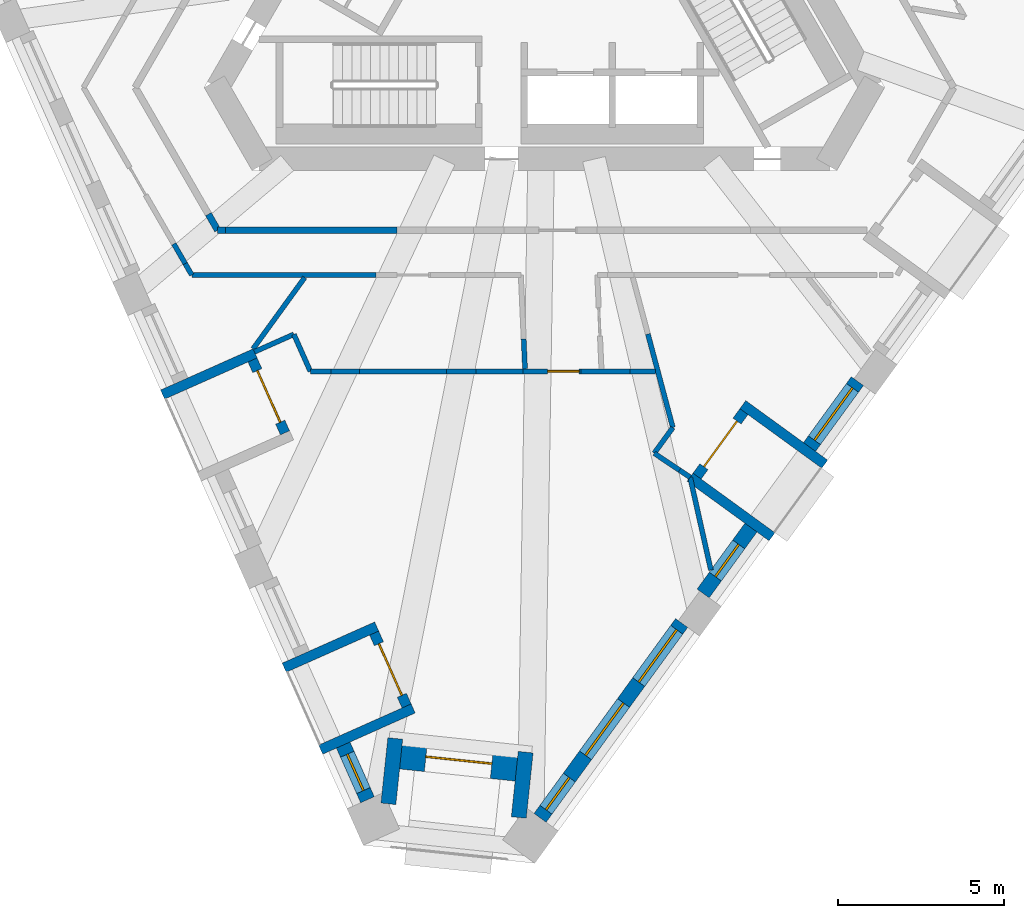
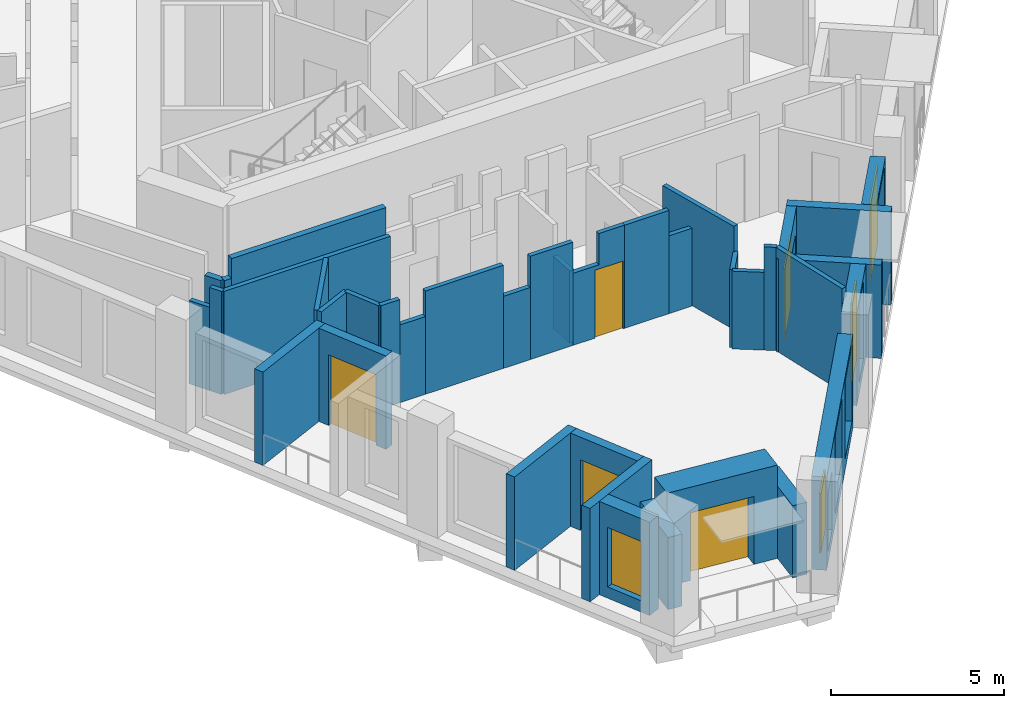
# One storey, part 2 of 11: 38 walls, 6 windows, 5 doors, 11 openings.
"""IFC4 building model written with IfcOpenShell, lengths in metres."""

from ifc_helpers import new_model, si_unit, direction, frame, frame_2d, origin, place, context, subcontext, project, spatial, polyline, rectangle, outline, extrude, material, layer, layer_set, type_object, element, fill, save


model = new_model("IFC4")

# Units and contexts
model_context = context("Model", 3, precision=1e-05, world=origin(), true_north=direction((0.0, 1.0)))
body_context = subcontext(model_context, "Body", "Model", "MODEL_VIEW")
ifc_project = project(units=[si_unit("LENGTHUNIT", "METRE"), si_unit("AREAUNIT", "SQUARE_METRE"), si_unit("VOLUMEUNIT", "CUBIC_METRE"), si_unit("PLANEANGLEUNIT", "RADIAN"), si_unit("MASSUNIT", "GRAM", prefix="KILO")], contexts=[model_context])

# Site, building, storey
site_placement = place(None, origin())
site = spatial("IfcSite", under=ifc_project, at=site_placement, CompositionType="ELEMENT")
building_placement = place(site_placement, origin())
building = spatial("IfcBuilding", under=site, at=building_placement, Name="Tramontana Tower", CompositionType="ELEMENT")
storey_placement = place(building_placement, frame((0.0, 0.0, 261.199951171875)))
storey = spatial("IfcBuildingStorey", under=building, at=storey_placement, Name="L61", CompositionType="ELEMENT", Elevation=261.199951171875)

# Walls
ifc_material_1 = material(Name="Blockwork", Category="masonry")
ifc_layer_1 = layer(ifc_material_1, 0.199951171875)
ifc_layer_set_1 = layer_set([ifc_layer_1], Name="ENTRY WALL 200")
wall_type_1 = type_object("IfcWallType", Name="ENTRY WALL 200", PredefinedType="SOLIDWALL", material=ifc_layer_set_1)
wall_1_placement = place(storey_placement, frame((-4.447998046875, -8.550048828125, 0.0), z_axis=(0.0, 0.0, 1.0), x_axis=(-1.0, 0.0, 0.0)))
element("IfcWall", 1, at=wall_1_placement, inside=storey, type_object=wall_type_1, Name="Wall v62-ew1-10", PredefinedType="SOLIDWALL", context=body_context, shape_type="SweptSolid", body=[
    extrude(rectangle(XDim=5.161376953125, YDim=0.199951171875, at=frame_2d((2.58056640625, 0.0))), origin(), (0.0, 0.0, 1.0), 3.650146484375),
])
wall_2_placement = place(storey_placement, frame((-9.609375, -8.550048828125, 0.0), z_axis=(0.0, 0.0, 1.0), x_axis=(-1.0, 0.0, 0.0)))
element("IfcWall", 2, at=wall_2_placement, inside=storey, type_object=wall_type_1, Name="Wall v62-ew1-11", PredefinedType="SOLIDWALL", context=body_context, shape_type="SweptSolid", body=[
    extrude(rectangle(XDim=0.234375, YDim=0.199951171875, at=frame_2d((0.1171875, 0.0))), origin(), (0.0, 0.0, 1.0), 2.949951171875),
])
wall_3_placement = place(storey_placement, frame((-9.84375, -8.550048828125, 0.0), z_axis=(0.0, 0.0, 1.0), x_axis=(-0.500000383388, 0.866025182435, 0.0)))
element("IfcWall", 3, at=wall_3_placement, inside=storey, type_object=wall_type_1, Name="Wall v62-ew2-0", PredefinedType="SOLIDWALL", context=body_context, shape_type="SweptSolid", body=[
    extrude(rectangle(XDim=0.5576171875, YDim=0.199951171875, at=frame_2d((0.27880859375, 0.0))), origin(), (0.0, 0.0, 1.0), 2.949951171875),
])

# Wall, opening, window
ifc_material_2 = material(Name="Precast concrete 60 MPa", Category="concrete")
ifc_layer_2 = layer(ifc_material_2, 0.449951171875)
ifc_layer_set_2 = layer_set([ifc_layer_2], Name="Precast concrete 60 MPa, 450 mm")
wall_type_2 = type_object("IfcWallType", Name="EW1 Stone-faced precast wall 450", PredefinedType="SOLIDWALL", material=ifc_layer_set_2)
wall_4_placement = place(storey_placement, frame((-6.062744140625, -24.060546875, 0.0), z_axis=(0.0, 0.0, 1.0), x_axis=(0.406666293293, -0.913576776138, 0.0)))
wall_4 = element("IfcWall", 4, at=wall_4_placement, inside=storey, type_object=wall_type_2, Name="External wall L61 face 0 bay 5", PredefinedType="SOLIDWALL", context=body_context, shape_type="SweptSolid", body=[
    extrude(rectangle(XDim=1.80224609375, YDim=0.449951171875, at=frame_2d((0.901123046875, 0.0))), origin(), (0.0, 0.0, 1.0), 3.300048828125),
])
opening_1_placement = place(wall_4_placement, frame((0.301025390625, 0.0, 0.39990234375)))
opening_1 = element("IfcOpeningElement", 5, at=opening_1_placement, cuts=wall_4, Name="Opening N3L", PredefinedType="OPENING", context=body_context, shape_type="SweptSolid", body=[
    extrude(rectangle(XDim=1.199951171875, YDim=2.10009765625, at=frame_2d((0.60009765625, 1.050048828125))), frame((0.0, 0.23486328125, 0.0), z_axis=(0.0, -1.0, 0.0), x_axis=(1.0, 0.0, 0.0)), (0.0, 0.0, 1.0), 0.469970703125),
])
ifc_material_3 = material(Name="Aluminum frame, double glazing unit", Category="aluminium")
window_type_1 = type_object("IfcWindowType", Name="N3L Window 1.2 x 2.1", PartitioningType="SINGLE_PANEL", PredefinedType="WINDOW", material=ifc_material_3)
window_1_placement = place(opening_1_placement, origin())
window_1 = element("IfcWindow", 6, at=window_1_placement, inside=storey, type_object=window_type_1, Name="Window N3L L61 face 0 module 15", OverallHeight=2.10009765625, OverallWidth=1.199951171875, PartitioningType="SINGLE_PANEL", PredefinedType="WINDOW", context=body_context, shape_type="SweptSolid", body=[
    extrude(rectangle(XDim=1.199951171875, YDim=2.10009765625, at=frame_2d((0.60009765625, 1.050048828125))), frame((0.0, 0.030029296875, 0.0), z_axis=(0.0, -1.0, 0.0), x_axis=(1.0, 0.0, 0.0)), (0.0, 0.0, 1.0), 0.06005859375),
])
fill(opening_1, window_1)

# Wall, openings, windows
wall_5_placement = place(storey_placement, frame((-0.13134765625, -26.25341796875, 0.0), z_axis=(0.0, 0.0, 1.0), x_axis=(0.587781549195, 0.80901968482, 0.0)))
wall_5 = element("IfcWall", 7, at=wall_5_placement, inside=storey, type_object=wall_type_2, Name="External wall L61 face 1 bay 1", PredefinedType="SOLIDWALL", context=body_context, shape_type="SweptSolid", body=[
    extrude(rectangle(XDim=7.2568359375, YDim=0.449951171875, at=frame_2d((3.62841796875, 0.0))), origin(), (0.0, 0.0, 1.0), 3.300048828125),
])
opening_2_placement = place(wall_5_placement, frame((0.301025390625, 0.0, 0.39990234375)))
opening_2 = element("IfcOpeningElement", 8, at=opening_2_placement, cuts=wall_5, Name="Opening N3L", PredefinedType="OPENING", context=body_context, shape_type="SweptSolid", body=[
    extrude(rectangle(XDim=1.199951171875, YDim=2.10009765625, at=frame_2d((0.60009765625, 1.050048828125))), frame((0.0, 0.23486328125, 0.0), z_axis=(0.0, -1.0, 0.0), x_axis=(1.0, 0.0, 0.0)), (0.0, 0.0, 1.0), 0.469970703125),
])
opening_3_placement = place(wall_5_placement, frame((2.328369140625, 0.0, 0.39990234375)))
opening_3 = element("IfcOpeningElement", 9, at=opening_3_placement, cuts=wall_5, Name="Opening M3", PredefinedType="OPENING", context=body_context, shape_type="SweptSolid", body=[
    extrude(rectangle(XDim=1.949951171875, YDim=2.75, at=frame_2d((0.97509765625, 1.375))), frame((0.0, 0.23486328125, 0.0), z_axis=(0.0, -1.0, 0.0), x_axis=(1.0, 0.0, 0.0)), (0.0, 0.0, 1.0), 0.469970703125),
])
opening_4_placement = place(wall_5_placement, frame((5.0556640625, 0.0, 0.39990234375)))
opening_4 = element("IfcOpeningElement", 10, at=opening_4_placement, cuts=wall_5, Name="Opening M3", PredefinedType="OPENING", context=body_context, shape_type="SweptSolid", body=[
    extrude(rectangle(XDim=1.949951171875, YDim=2.75, at=frame_2d((0.97509765625, 1.375))), frame((0.0, 0.23486328125, 0.0), z_axis=(0.0, -1.0, 0.0), x_axis=(1.0, 0.0, 0.0)), (0.0, 0.0, 1.0), 0.469970703125),
])
ifc_material_4 = material(Name="Aluminum frame, double glazing unit", Category="aluminium")
window_type_2 = type_object("IfcWindowType", Name="M3 Window 1.95 x 2.75", PartitioningType="SINGLE_PANEL", PredefinedType="WINDOW", material=ifc_material_4)
window_2_placement = place(opening_3_placement, origin())
window_2 = element("IfcWindow", 11, at=window_2_placement, inside=storey, type_object=window_type_2, Name="Window M3 L61 face 1 module 2", OverallHeight=2.75, OverallWidth=1.949951171875, PartitioningType="SINGLE_PANEL", PredefinedType="WINDOW", context=body_context, shape_type="SweptSolid", body=[
    extrude(rectangle(XDim=1.949951171875, YDim=2.75, at=frame_2d((0.97509765625, 1.375))), frame((0.0, 0.030029296875, 0.0), z_axis=(0.0, -1.0, 0.0), x_axis=(1.0, 0.0, 0.0)), (0.0, 0.0, 1.0), 0.06005859375),
])
fill(opening_3, window_2)
window_3_placement = place(opening_4_placement, origin())
window_3 = element("IfcWindow", 12, at=window_3_placement, inside=storey, type_object=window_type_2, Name="Window M3 L61 face 1 module 3", OverallHeight=2.75, OverallWidth=1.949951171875, PartitioningType="SINGLE_PANEL", PredefinedType="WINDOW", context=body_context, shape_type="SweptSolid", body=[
    extrude(rectangle(XDim=1.949951171875, YDim=2.75, at=frame_2d((0.97509765625, 1.375))), frame((0.0, 0.030029296875, 0.0), z_axis=(0.0, -1.0, 0.0), x_axis=(1.0, 0.0, 0.0)), (0.0, 0.0, 1.0), 0.06005859375),
])
fill(opening_4, window_3)
window_4_placement = place(opening_2_placement, origin())
window_4 = element("IfcWindow", 13, at=window_4_placement, inside=storey, type_object=window_type_1, Name="Window N3L L61 face 1 module 1", OverallHeight=2.10009765625, OverallWidth=1.199951171875, PartitioningType="SINGLE_PANEL", PredefinedType="WINDOW", context=body_context, shape_type="SweptSolid", body=[
    extrude(rectangle(XDim=1.199951171875, YDim=2.10009765625, at=frame_2d((0.60009765625, 1.050048828125))), frame((0.0, 0.030029296875, 0.0), z_axis=(0.0, -1.0, 0.0), x_axis=(1.0, 0.0, 0.0)), (0.0, 0.0, 1.0), 0.06005859375),
])
fill(opening_2, window_4)

# Wall, opening, window
wall_6_placement = place(storey_placement, frame((4.780517578125, -19.49267578125, 0.0), z_axis=(0.0, 0.0, 1.0), x_axis=(0.587792773076, 0.809011530152, 0.0)))
wall_6 = element("IfcWall", 14, at=wall_6_placement, inside=storey, type_object=wall_type_2, Name="External wall L61 face 1 bay 2", PredefinedType="SOLIDWALL", context=body_context, shape_type="SweptSolid", body=[
    extrude(rectangle(XDim=2.4521484375, YDim=0.449951171875, at=frame_2d((1.22607421875, 0.0))), origin(), (0.0, 0.0, 1.0), 3.300048828125),
])
opening_5_placement = place(wall_6_placement, frame((0.626220703125, 0.0, 0.39990234375)))
opening_5 = element("IfcOpeningElement", 15, at=opening_5_placement, cuts=wall_6, Name="Opening N3", PredefinedType="OPENING", context=body_context, shape_type="SweptSolid", body=[
    extrude(rectangle(XDim=1.199951171875, YDim=2.75, at=frame_2d((0.60009765625, 1.375))), frame((0.0, 0.23486328125, 0.0), z_axis=(0.0, -1.0, 0.0), x_axis=(1.0, 0.0, 0.0)), (0.0, 0.0, 1.0), 0.469970703125),
])
ifc_material_5 = material(Name="Aluminum frame, double glazing unit", Category="aluminium")
window_type_3 = type_object("IfcWindowType", Name="N3 Window 1.2 x 2.75", PartitioningType="SINGLE_PANEL", PredefinedType="WINDOW", material=ifc_material_5)
window_5_placement = place(opening_5_placement, origin())
window_5 = element("IfcWindow", 16, at=window_5_placement, inside=storey, type_object=window_type_3, Name="Window N3 L61 face 1 module 4", OverallHeight=2.75, OverallWidth=1.199951171875, PartitioningType="SINGLE_PANEL", PredefinedType="WINDOW", context=body_context, shape_type="SweptSolid", body=[
    extrude(rectangle(XDim=1.199951171875, YDim=2.75, at=frame_2d((0.60009765625, 1.375))), frame((0.0, 0.030029296875, 0.0), z_axis=(0.0, -1.0, 0.0), x_axis=(1.0, 0.0, 0.0)), (0.0, 0.0, 1.0), 0.06005859375),
])
fill(opening_5, window_5)

wall_7_placement = place(storey_placement, frame((7.986572265625, -15.079833984375, 0.0), z_axis=(0.0, 0.0, 1.0), x_axis=(0.587792773076, 0.809011530152, 0.0)))
wall_7 = element("IfcWall", 17, at=wall_7_placement, inside=storey, type_object=wall_type_2, Name="External wall L61 face 1 bay 2", PredefinedType="SOLIDWALL", context=body_context, shape_type="SweptSolid", body=[
    extrude(rectangle(XDim=2.4521484375, YDim=0.449951171875, at=frame_2d((1.22607421875, 0.0))), origin(), (0.0, 0.0, 1.0), 3.300048828125),
])
opening_6_placement = place(wall_7_placement, frame((0.251220703125, 0.0, 0.39990234375)))
opening_6 = element("IfcOpeningElement", 18, at=opening_6_placement, cuts=wall_7, Name="Opening M3", PredefinedType="OPENING", context=body_context, shape_type="SweptSolid", body=[
    extrude(rectangle(XDim=1.949951171875, YDim=2.75, at=frame_2d((0.97509765625, 1.375))), frame((0.0, 0.23486328125, 0.0), z_axis=(0.0, -1.0, 0.0), x_axis=(1.0, 0.0, 0.0)), (0.0, 0.0, 1.0), 0.469970703125),
])
window_6_placement = place(opening_6_placement, origin())
window_6 = element("IfcWindow", 19, at=window_6_placement, inside=storey, type_object=window_type_2, Name="Window M3 L61 face 1 module 6", OverallHeight=2.75, OverallWidth=1.949951171875, PartitioningType="SINGLE_PANEL", PredefinedType="WINDOW", context=body_context, shape_type="SweptSolid", body=[
    extrude(rectangle(XDim=1.949951171875, YDim=2.75, at=frame_2d((0.97509765625, 1.375))), frame((0.0, 0.030029296875, 0.0), z_axis=(0.0, -1.0, 0.0), x_axis=(1.0, 0.0, 0.0)), (0.0, 0.0, 1.0), 0.06005859375),
])
fill(opening_6, window_6)

# Walls
for number, where, z_axis, x_axis, name in (
    (20, (-0.772216796875, -26.2421875, 0.0), (0.0, 0.0, 1.0), (0.104485716945, 0.994526387259, 0.0), "Corner loggia side wall L61 K61l"),
    (21, (-4.70068359375, -25.829345703125, 0.0), (0.0, 0.0, 1.0), (0.104607727594, 0.994513561158, 0.0), "Corner loggia side wall L61 K61r"),
):
    element("IfcWall", number, at=place(storey_placement, frame(where, z_axis=z_axis, x_axis=x_axis)), inside=storey, type_object=wall_type_2, Name=name, PredefinedType="SOLIDWALL", context=body_context, shape_type="SweptSolid", body=[
        extrude(rectangle(XDim=1.97900390625, YDim=0.449951171875, at=frame_2d((0.989501953125, 0.0))), origin(), (0.0, 0.0, 1.0), 2.550048828125),
    ])

# Wall, opening, door
ifc_material_6 = material(Name="Precast concrete 60 MPa", Category="concrete")
ifc_layer_3 = layer(ifc_material_6, 0.89990234375)
ifc_layer_set_3 = layer_set([ifc_layer_3], Name="EW2 Stone-faced corner loggia wall 900")
wall_type_3 = type_object("IfcWallType", Name="EW2 Stone-faced corner loggia wall 900", PredefinedType="SOLIDWALL", material=ifc_layer_set_3)
wall_8_placement = place(storey_placement, frame((-0.836181640625, -24.697998046875, 0.0), z_axis=(0.0, 0.0, 1.0), x_axis=(-0.994518821828, 0.104557701916, 0.0)))
wall_8 = element("IfcWall", 22, at=wall_8_placement, inside=storey, type_object=wall_type_3, Name="Corner loggia wall L61 K61", PredefinedType="SOLIDWALL", context=body_context, shape_type="SweptSolid", body=[
    extrude(rectangle(XDim=3.500244140625, YDim=0.89990234375, at=frame_2d((1.75, 0.0))), origin(), (0.0, 0.0, 1.0), 3.300048828125),
])
opening_7_placement = place(wall_8_placement, frame((0.75, 0.0, 0.0)))
opening_7 = element("IfcOpeningElement", 23, at=opening_7_placement, cuts=wall_8, Name="Opening BD-61C", PredefinedType="OPENING", context=body_context, shape_type="SweptSolid", body=[
    extrude(rectangle(XDim=2.0, YDim=2.39990234375, at=frame_2d((1.0, 1.199951171875))), frame((0.0, 0.4599609375, 0.0), z_axis=(0.0, -1.0, 0.0), x_axis=(1.0, 0.0, 0.0)), (0.0, 0.0, 1.0), 0.919921875),
])
ifc_material_7 = material(Name="Aluminum frame, double glazing unit", Category="aluminium")
door_type_1 = type_object("IfcDoorType", Name="BC1 Sliding door 2 x 2.4", OperationType="SLIDING_TO_LEFT", PredefinedType="DOOR", material=ifc_material_7)
door_1_placement = place(opening_7_placement, origin())
door_1 = element("IfcDoor", 24, at=door_1_placement, inside=storey, type_object=door_type_1, Name="Corner loggia door L61 K61", OperationType="SLIDING_TO_LEFT", OverallHeight=2.39990234375, OverallWidth=2.0, PredefinedType="DOOR", context=body_context, shape_type="SweptSolid", body=[
    extrude(rectangle(XDim=2.0, YDim=2.39990234375, at=frame_2d((1.0, 1.199951171875))), frame((0.0, 0.02490234375, 0.0), z_axis=(0.0, -1.0, 0.0), x_axis=(1.0, 0.0, 0.0)), (0.0, 0.0, 1.0), 0.050048828125),
])
fill(opening_7, door_1)

ifc_material_8 = material(Name="Precast concrete 60 MPa", Category="concrete")
ifc_layer_4 = layer(ifc_material_8, 0.300048828125)
ifc_layer_set_4 = layer_set([ifc_layer_4], Name="LW1 Stone-faced loggia wall 300")
wall_type_4 = type_object("IfcWallType", Name="LW1 Stone-faced loggia wall 300", PredefinedType="SOLIDWALL", material=ifc_layer_set_4)
wall_9_placement = place(storey_placement, frame((-8.792724609375, -12.458984375, 0.0), z_axis=(0.0, 0.0, 1.0), x_axis=(0.406723017018, -0.913551524232, 0.0)))
wall_9 = element("IfcWall", 25, at=wall_9_placement, inside=storey, type_object=wall_type_4, Name="Loggia wall L61 G6S0.10", PredefinedType="SOLIDWALL", context=body_context, shape_type="SweptSolid", body=[
    extrude(rectangle(XDim=2.40234375, YDim=0.300048828125, at=frame_2d((1.201171875, 0.0))), origin(), (0.0, 0.0, 1.0), 3.300048828125),
])
opening_8_placement = place(wall_9_placement, frame((0.35107421875, 0.0, 0.0)))
opening_8 = element("IfcOpeningElement", 26, at=opening_8_placement, cuts=wall_9, Name="Opening BD-6S0-10", PredefinedType="OPENING", context=body_context, shape_type="SweptSolid", body=[
    extrude(rectangle(XDim=1.699951171875, YDim=2.5, at=frame_2d((0.85009765625, 1.25))), frame((0.0, 0.159912109375, 0.0), z_axis=(0.0, -1.0, 0.0), x_axis=(1.0, 0.0, 0.0)), (0.0, 0.0, 1.0), 0.320068359375),
])
ifc_material_9 = material(Name="Aluminum frame, double glazing unit", Category="aluminium")
door_type_2 = type_object("IfcDoorType", Name="BD3 Sliding door 1.7 x 2.5", OperationType="SLIDING_TO_LEFT", PredefinedType="DOOR", material=ifc_material_9)
door_2_placement = place(opening_8_placement, origin())
door_2 = element("IfcDoor", 27, at=door_2_placement, inside=storey, type_object=door_type_2, Name="Loggia door L61 G6S0.10", OperationType="SLIDING_TO_LEFT", OverallHeight=2.5, OverallWidth=1.699951171875, PredefinedType="DOOR", context=body_context, shape_type="SweptSolid", body=[
    extrude(rectangle(XDim=1.699951171875, YDim=2.5, at=frame_2d((0.85009765625, 1.25))), frame((0.0, 0.02490234375, 0.0), z_axis=(0.0, -1.0, 0.0), x_axis=(1.0, 0.0, 0.0)), (0.0, 0.0, 1.0), 0.050048828125),
])
fill(opening_8, door_2)

# Wall
wall_10_placement = place(storey_placement, frame((-11.5029296875, -13.50146484375, 0.0), z_axis=(0.0, 0.0, 1.0), x_axis=(0.913557205168, 0.406710256677, 0.0)))
element("IfcWall", 28, at=wall_10_placement, inside=storey, type_object=wall_type_4, Name="Loggia return L61 G6S0.10a", PredefinedType="SOLIDWALL", context=body_context, shape_type="SweptSolid", body=[
    extrude(rectangle(XDim=3.050048828125, YDim=0.300048828125, at=frame_2d((1.52490234375, 0.0))), origin(), (0.0, 0.0, 1.0), 3.300048828125),
])

# Wall, opening, door
wall_11_placement = place(storey_placement, frame((-5.12939453125, -20.68701171875, 0.0), z_axis=(0.0, 0.0, 1.0), x_axis=(0.406723017018, -0.913551524232, 0.0)))
wall_11 = element("IfcWall", 29, at=wall_11_placement, inside=storey, type_object=wall_type_4, Name="Loggia wall L61 G6S0.13", PredefinedType="SOLIDWALL", context=body_context, shape_type="SweptSolid", body=[
    extrude(rectangle(XDim=2.40234375, YDim=0.300048828125, at=frame_2d((1.201171875, 0.0))), origin(), (0.0, 0.0, 1.0), 3.300048828125),
])
opening_9_placement = place(wall_11_placement, frame((0.35107421875, 0.0, 0.0)))
opening_9 = element("IfcOpeningElement", 30, at=opening_9_placement, cuts=wall_11, Name="Opening BD-6S0-13", PredefinedType="OPENING", context=body_context, shape_type="SweptSolid", body=[
    extrude(rectangle(XDim=1.699951171875, YDim=2.5, at=frame_2d((0.85009765625, 1.25))), frame((0.0, 0.159912109375, 0.0), z_axis=(0.0, -1.0, 0.0), x_axis=(1.0, 0.0, 0.0)), (0.0, 0.0, 1.0), 0.320068359375),
])
door_3_placement = place(opening_9_placement, origin())
door_3 = element("IfcDoor", 31, at=door_3_placement, inside=storey, type_object=door_type_2, Name="Loggia door L61 G6S0.13", OperationType="SLIDING_TO_LEFT", OverallHeight=2.5, OverallWidth=1.699951171875, PredefinedType="DOOR", context=body_context, shape_type="SweptSolid", body=[
    extrude(rectangle(XDim=1.699951171875, YDim=2.5, at=frame_2d((0.85009765625, 1.25))), frame((0.0, 0.02490234375, 0.0), z_axis=(0.0, -1.0, 0.0), x_axis=(1.0, 0.0, 0.0)), (0.0, 0.0, 1.0), 0.050048828125),
])
fill(opening_9, door_3)

# Walls
for number, where, z_axis, x_axis, name in (
    (32, (-7.839599609375, -21.7294921875, 0.0), (0.0, 0.0, 1.0), (0.913557205168, 0.406710256677, 0.0), "Loggia return L61 G6S0.13a"),
    (33, (-6.740478515625, -24.197998046875, 0.0), (0.0, 0.0, 1.0), (0.913557205168, 0.406710256677, 0.0), "Loggia return L61 G6S0.13b"),
):
    element("IfcWall", number, at=place(storey_placement, frame(where, z_axis=z_axis, x_axis=x_axis)), inside=storey, type_object=wall_type_4, Name=name, PredefinedType="SOLIDWALL", context=body_context, shape_type="SweptSolid", body=[
        extrude(rectangle(XDim=3.050048828125, YDim=0.300048828125, at=frame_2d((1.52490234375, 0.0))), origin(), (0.0, 0.0, 1.0), 3.300048828125),
    ])

# Wall, opening, door
wall_12_placement = place(storey_placement, frame((4.59814453125, -15.958251953125, 0.0), z_axis=(0.0, 0.0, 1.0), x_axis=(0.587833242688, 0.808982125137, 0.0)))
wall_12 = element("IfcWall", 34, at=wall_12_placement, inside=storey, type_object=wall_type_4, Name="Loggia wall L61 G6S1.4", PredefinedType="SOLIDWALL", context=body_context, shape_type="SweptSolid", body=[
    extrude(rectangle(XDim=2.40234375, YDim=0.300048828125, at=frame_2d((1.201171875, 0.0))), origin(), (0.0, 0.0, 1.0), 3.300048828125),
])
opening_10_placement = place(wall_12_placement, frame((0.35107421875, 0.0, 0.0)))
opening_10 = element("IfcOpeningElement", 35, at=opening_10_placement, cuts=wall_12, Name="Opening BD-6S1-04", PredefinedType="OPENING", context=body_context, shape_type="SweptSolid", body=[
    extrude(rectangle(XDim=1.699951171875, YDim=2.5, at=frame_2d((0.85009765625, 1.25))), frame((0.0, 0.159912109375, 0.0), z_axis=(0.0, -1.0, 0.0), x_axis=(1.0, 0.0, 0.0)), (0.0, 0.0, 1.0), 0.320068359375),
])
door_4_placement = place(opening_10_placement, origin())
door_4 = element("IfcDoor", 36, at=door_4_placement, inside=storey, type_object=door_type_2, Name="Loggia door L61 G6S1.4", OperationType="SLIDING_TO_LEFT", OverallHeight=2.5, OverallWidth=1.699951171875, PredefinedType="DOOR", context=body_context, shape_type="SweptSolid", body=[
    extrude(rectangle(XDim=1.699951171875, YDim=2.5, at=frame_2d((0.85009765625, 1.25))), frame((0.0, 0.02490234375, 0.0), z_axis=(0.0, -1.0, 0.0), x_axis=(1.0, 0.0, 0.0)), (0.0, 0.0, 1.0), 0.050048828125),
])
fill(opening_10, door_4)

# Walls
for number, where, z_axis, x_axis, name in (
    (37, (6.856201171875, -17.7841796875, 0.0), (0.0, 0.0, 1.0), (-0.80902328748, 0.587776590479, 0.0), "Loggia return L61 G6S1.4a"),
    (38, (8.4443359375, -15.59814453125, 0.0), (0.0, 0.0, 1.0), (-0.808957563125, 0.587867043696, 0.0), "Loggia return L61 G6S1.4b"),
):
    element("IfcWall", number, at=place(storey_placement, frame(where, z_axis=z_axis, x_axis=x_axis)), inside=storey, type_object=wall_type_4, Name=name, PredefinedType="SOLIDWALL", context=body_context, shape_type="SweptSolid", body=[
        extrude(rectangle(XDim=3.050048828125, YDim=0.300048828125, at=frame_2d((1.52490234375, 0.0))), origin(), (0.0, 0.0, 1.0), 3.300048828125),
    ])
ifc_material_10 = material(Name="Gypsum board partition")
ifc_layer_5 = layer(ifc_material_10, 0.14990234375)
ifc_layer_set_5 = layer_set([ifc_layer_5], Name="PARTITION 150")
wall_type_5 = type_object("IfcWallType", Name="PARTITION 150", PredefinedType="PARTITIONING", material=ifc_layer_set_5)
wall_13_placement = place(storey_placement, frame((-10.623291015625, -9.89990234375, 0.0), z_axis=(0.0, 0.0, 1.0), x_axis=(-0.499899443193, 0.866083452501, 0.0)))
element("IfcWall", 39, at=wall_13_placement, inside=storey, type_object=wall_type_5, Name="Wall v62-pw02-0", PredefinedType="PARTITIONING", context=body_context, shape_type="SweptSolid", body=[
    extrude(rectangle(XDim=0.39794921875, YDim=0.14990234375, at=frame_2d((0.198974609375, 0.0))), origin(), (0.0, 0.0, 1.0), 3.650146484375),
])
wall_14_placement = place(storey_placement, frame((-10.822265625, -9.55517578125, 0.0), z_axis=(0.0, 0.0, 1.0), x_axis=(-0.499969057507, 0.866043267704, 0.0)))
element("IfcWall", 40, at=wall_14_placement, inside=storey, type_object=wall_type_5, Name="Wall v62-pw02-1", PredefinedType="PARTITIONING", context=body_context, shape_type="SweptSolid", body=[
    extrude(rectangle(XDim=0.685546875, YDim=0.14990234375, at=frame_2d((0.3427734375, 0.0))), origin(), (0.0, 0.0, 1.0), 2.949951171875),
])
wall_15_placement = place(storey_placement, frame((-8.777587890625, -12.123779296875, 0.0), z_axis=(0.0, 0.0, 1.0), x_axis=(0.58644110754, 0.809991868717, 0.0)))
element("IfcWall", 41, at=wall_15_placement, inside=storey, type_object=wall_type_5, Name="Wall v62-pw06", PredefinedType="PARTITIONING", context=body_context, shape_type="SweptSolid", body=[
    extrude(rectangle(XDim=2.65283203125, YDim=0.14990234375, at=frame_2d((1.326416015625, 0.0))), origin(), (0.0, 0.0, 1.0), 3.650146484375),
])
wall_16_placement = place(storey_placement, frame((-7.551025390625, -11.68701171875, 0.0), z_axis=(0.0, 0.0, 1.0), x_axis=(-0.913539934271, -0.406749048544, 0.0)))
element("IfcWall", 42, at=wall_16_placement, inside=storey, type_object=wall_type_5, Name="Wall v62-pw07", PredefinedType="PARTITIONING", context=body_context, shape_type="SweptSolid", body=[
    extrude(rectangle(XDim=1.29833984375, YDim=0.14990234375, at=frame_2d((0.649169921875, 0.0))), origin(), (0.0, 0.0, 1.0), 3.650146484375),
])
wall_17_placement = place(storey_placement, frame((-7.053466796875, -12.800048828125, 0.0), z_axis=(0.0, 0.0, 1.0), x_axis=(-0.406566453663, 0.913621211857, 0.0)))
element("IfcWall", 43, at=wall_17_placement, inside=storey, type_object=wall_type_5, Name="Wall v62-pw08", PredefinedType="PARTITIONING", context=body_context, shape_type="SweptSolid", body=[
    extrude(rectangle(XDim=1.21728515625, YDim=0.14990234375, at=frame_2d((0.608642578125, 0.0))), origin(), (0.0, 0.0, 1.0), 3.650146484375),
])
wall_18_placement = place(storey_placement, frame((-5.06689453125, -9.89990234375, 0.0), z_axis=(0.0, 0.0, 1.0), x_axis=(-1.0, 0.0, 0.0)))
element("IfcWall", 44, at=wall_18_placement, inside=storey, type_object=wall_type_5, Name="Wall v62-pw11-4", PredefinedType="PARTITIONING", context=body_context, shape_type="SweptSolid", body=[
    extrude(rectangle(XDim=5.556396484375, YDim=0.14990234375, at=frame_2d((2.7783203125, 0.0))), origin(), (0.0, 0.0, 1.0), 3.650146484375),
])
wall_19_placement = place(storey_placement, frame((-0.584716796875, -12.724853515625, 0.0), z_axis=(0.0, 0.0, 1.0), x_axis=(-0.044406655762, 0.999013537908, 0.0)))
element("IfcWall", 45, at=wall_19_placement, inside=storey, type_object=wall_type_5, Name="Wall v62-pw12-0", PredefinedType="PARTITIONING", context=body_context, shape_type="SweptSolid", body=[
    extrude(rectangle(XDim=0.896240234375, YDim=0.14990234375, at=frame_2d((0.4482421875, 0.0))), origin(), (0.0, 0.0, 1.0), 2.550048828125),
])
wall_20_placement = place(storey_placement, frame((3.116943359375, -11.678466796875, 0.0), z_axis=(0.0, 0.0, 1.0), x_axis=(0.257876371525, -0.966177922025, 0.0)))
element("IfcWall", 46, at=wall_20_placement, inside=storey, type_object=wall_type_5, Name="Wall v62-pw14-1", PredefinedType="PARTITIONING", context=body_context, shape_type="SweptSolid", body=[
    extrude(rectangle(XDim=2.9150390625, YDim=0.14990234375, at=frame_2d((1.45751953125, 0.0))), origin(), (0.0, 0.0, 1.0), 3.650146484375),
])
wall_21_placement = place(storey_placement, frame((3.308837890625, -15.26904296875, 0.0), z_axis=(0.0, 0.0, 1.0), x_axis=(0.831108026904, -0.556111002962, 0.0)))
element("IfcWall", 47, at=wall_21_placement, inside=storey, type_object=wall_type_5, Name="Wall v62-pw16-0", PredefinedType="PARTITIONING", context=body_context, shape_type="SweptSolid", body=[
    extrude(rectangle(XDim=0.91796875, YDim=0.14990234375, at=frame_2d((0.458984375, 0.0))), origin(), (0.0, 0.0, 1.0), 2.75),
])
wall_22_placement = place(storey_placement, frame((4.07177734375, -15.779541015625, 0.0), z_axis=(0.0, 0.0, 1.0), x_axis=(0.83126124881, -0.555881944505, 0.0)))
element("IfcWall", 48, at=wall_22_placement, inside=storey, type_object=wall_type_5, Name="Wall v62-pw16-1", PredefinedType="PARTITIONING", context=body_context, shape_type="SweptSolid", body=[
    extrude(rectangle(XDim=0.381103515625, YDim=0.14990234375, at=frame_2d((0.1904296875, 0.0))), origin(), (0.0, 0.0, 1.0), 3.650146484375),
])
wall_23_placement = place(storey_placement, frame((3.338623046875, -12.800048828125, 0.0), z_axis=(0.0, 0.0, 1.0), x_axis=(-1.0, 0.0, 0.0)))
element("IfcWall", 49, at=wall_23_placement, inside=storey, type_object=wall_type_5, Name="Wall v62-pw17-0", PredefinedType="PARTITIONING", context=body_context, shape_type="SweptSolid", body=[
    extrude(rectangle(XDim=0.75634765625, YDim=0.14990234375, at=frame_2d((0.378173828125, 0.0))), origin(), (0.0, 0.0, 1.0), 2.75),
])
wall_24_placement = place(storey_placement, frame((2.582275390625, -12.800048828125, 0.0), z_axis=(0.0, 0.0, 1.0), x_axis=(-1.0, 0.0, 0.0)))
element("IfcWall", 50, at=wall_24_placement, inside=storey, type_object=wall_type_5, Name="Wall v62-pw17-1", PredefinedType="PARTITIONING", context=body_context, shape_type="SweptSolid", body=[
    extrude(rectangle(XDim=1.487548828125, YDim=0.14990234375, at=frame_2d((0.74365234375, 0.0))), origin(), (0.0, 0.0, 1.0), 3.650146484375),
])

# Wall, opening, door
wall_25_placement = place(storey_placement, frame((1.0947265625, -12.800048828125, 0.0), z_axis=(0.0, 0.0, 1.0), x_axis=(-1.0, 0.0, 0.0)))
wall_25 = element("IfcWall", 51, at=wall_25_placement, inside=storey, type_object=wall_type_5, Name="Wall v62-pw17-2", PredefinedType="PARTITIONING", context=body_context, shape_type="SweptSolid", body=[
    extrude(outline(polyline([(0.0, 0.0), (1.734619140625, 0.0), (1.734619140625, 2.550048828125), (0.859619140625, 2.550048828125), (0.859619140625, 3.650146484375), (0.0, 3.650146484375), (0.0, 0.0)])), frame((0.0, 0.074951171875, 0.0), z_axis=(0.0, -1.0, 0.0), x_axis=(1.0, 0.0, 0.0)), (0.0, 0.0, 1.0), 0.14990234375),
])
opening_11_placement = place(wall_25_placement, frame((0.050048828125, 0.0, 0.0)))
opening_11 = element("IfcOpeningElement", 52, at=opening_11_placement, cuts=wall_25, Name="Opening B6C-07", PredefinedType="OPENING", context=body_context, shape_type="SweptSolid", body=[
    extrude(rectangle(XDim=0.949951171875, YDim=2.39990234375, at=frame_2d((0.47509765625, 1.199951171875))), frame((0.0, 0.0849609375, 0.0), z_axis=(0.0, -1.0, 0.0), x_axis=(1.0, 0.0, 0.0)), (0.0, 0.0, 1.0), 0.169921875),
])
ifc_material_11 = material(Name="Painted timber", Category="wood")
door_type_3 = type_object("IfcDoorType", Name="DOOR ROOM 950", OperationType="SINGLE_SWING_LEFT", PredefinedType="DOOR", material=ifc_material_11)
door_5_placement = place(opening_11_placement, origin())
door_5 = element("IfcDoor", 53, at=door_5_placement, inside=storey, type_object=door_type_3, Name="Door B6C-07", OperationType="SINGLE_SWING_LEFT", OverallHeight=2.39990234375, OverallWidth=0.949951171875, PredefinedType="DOOR", context=body_context, shape_type="SweptSolid", body=[
    extrude(rectangle(XDim=0.949951171875, YDim=2.39990234375, at=frame_2d((0.47509765625, 1.199951171875))), frame((0.0, 0.02490234375, 0.0), z_axis=(0.0, -1.0, 0.0), x_axis=(1.0, 0.0, 0.0)), (0.0, 0.0, 1.0), 0.050048828125),
])
fill(opening_11, door_5)

# Walls
wall_26_placement = place(storey_placement, frame((-0.639892578125, -12.800048828125, 0.0), z_axis=(0.0, 0.0, 1.0), x_axis=(-1.0, 0.0, 0.0)))
element("IfcWall", 54, at=wall_26_placement, inside=storey, type_object=wall_type_5, Name="Wall v62-pw17-3", PredefinedType="PARTITIONING", context=body_context, shape_type="SweptSolid", body=[
    extrude(rectangle(XDim=1.42431640625, YDim=0.14990234375, at=frame_2d((0.712158203125, 0.0))), origin(), (0.0, 0.0, 1.0), 3.650146484375),
])
wall_27_placement = place(storey_placement, frame((-2.064208984375, -12.800048828125, 0.0), z_axis=(0.0, 0.0, 1.0), x_axis=(-1.0, 0.0, 0.0)))
element("IfcWall", 55, at=wall_27_placement, inside=storey, type_object=wall_type_5, Name="Wall v62-pw17-4", PredefinedType="PARTITIONING", context=body_context, shape_type="SweptSolid", body=[
    extrude(rectangle(XDim=0.8916015625, YDim=0.14990234375, at=frame_2d((0.44580078125, 0.0))), origin(), (0.0, 0.0, 1.0), 2.550048828125),
])
wall_28_placement = place(storey_placement, frame((-2.955810546875, -12.800048828125, 0.0), z_axis=(0.0, 0.0, 1.0), x_axis=(-1.0, 0.0, 0.0)))
element("IfcWall", 56, at=wall_28_placement, inside=storey, type_object=wall_type_5, Name="Wall v62-pw17-5", PredefinedType="PARTITIONING", context=body_context, shape_type="SweptSolid", body=[
    extrude(rectangle(XDim=2.614013671875, YDim=0.14990234375, at=frame_2d((1.30712890625, 0.0))), origin(), (0.0, 0.0, 1.0), 3.650146484375),
])
wall_29_placement = place(storey_placement, frame((-5.56982421875, -12.800048828125, 0.0), z_axis=(0.0, 0.0, 1.0), x_axis=(-1.0, 0.0, 0.0)))
element("IfcWall", 57, at=wall_29_placement, inside=storey, type_object=wall_type_5, Name="Wall v62-pw17-6", PredefinedType="PARTITIONING", context=body_context, shape_type="SweptSolid", body=[
    extrude(rectangle(XDim=0.85595703125, YDim=0.14990234375, at=frame_2d((0.427978515625, 0.0))), origin(), (0.0, 0.0, 1.0), 2.75),
])
wall_30_placement = place(storey_placement, frame((-6.42578125, -12.800048828125, 0.0), z_axis=(0.0, 0.0, 1.0), x_axis=(-1.0, 0.0, 0.0)))
element("IfcWall", 58, at=wall_30_placement, inside=storey, type_object=wall_type_5, Name="Wall v62-pw17-7", PredefinedType="PARTITIONING", context=body_context, shape_type="SweptSolid", body=[
    extrude(rectangle(XDim=0.62744140625, YDim=0.14990234375, at=frame_2d((0.313720703125, 0.0))), origin(), (0.0, 0.0, 1.0), 3.650146484375),
])
wall_31_placement = place(storey_placement, frame((3.86865234375, -14.4951171875, 0.0), z_axis=(0.0, 0.0, 1.0), x_axis=(-0.587882270879, -0.808946497357, 0.0)))
element("IfcWall", 59, at=wall_31_placement, inside=storey, type_object=wall_type_5, Name="Wall v62-pw18-0", PredefinedType="PARTITIONING", context=body_context, shape_type="SweptSolid", body=[
    extrude(rectangle(XDim=0.953125, YDim=0.14990234375, at=frame_2d((0.4765625, 0.0))), origin(), (0.0, 0.0, 1.0), 2.75),
])
wall_32_placement = place(storey_placement, frame((4.388671875, -15.991455078125, 0.0), z_axis=(0.0, 0.0, 1.0), x_axis=(0.218364570809, -0.975867262601, 0.0)))
element("IfcWall", 60, at=wall_32_placement, inside=storey, type_object=wall_type_5, Name="Wall v62-pw19", PredefinedType="PARTITIONING", context=body_context, shape_type="SweptSolid", body=[
    extrude(rectangle(XDim=2.865478515625, YDim=0.14990234375, at=frame_2d((1.4326171875, 0.0))), origin(), (0.0, 0.0, 1.0), 3.650146484375),
])

save(model, "model.ifc")
